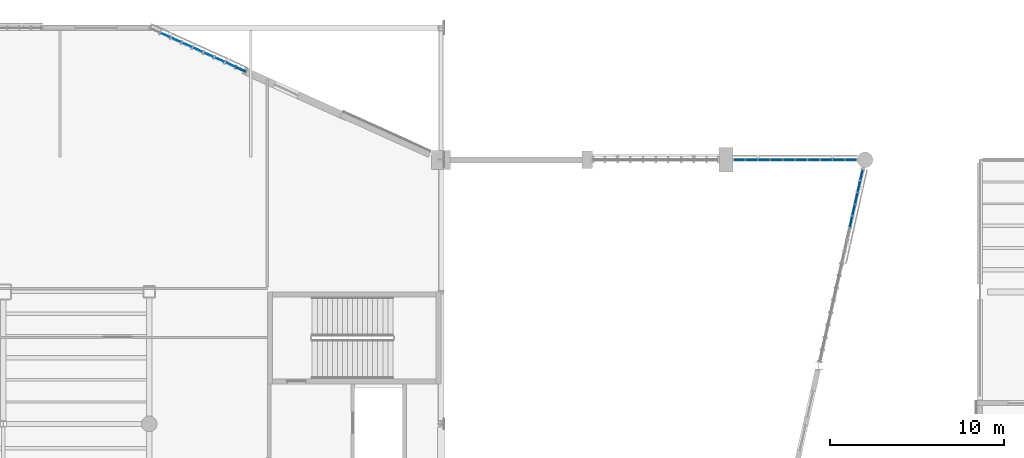
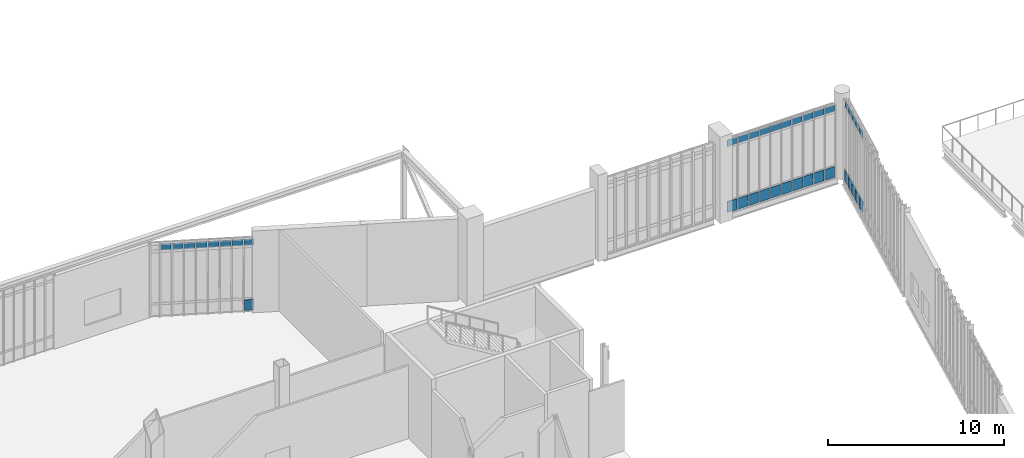
# One storey, part 101 of 135: 39 plates, 3 elements without a shape of their own.
"""IFC4 building model written with IfcOpenShell, lengths in metres."""

from ifc_helpers import new_model, si_unit, direction, frame, origin, origin_2d, place, context, subcontext, project, spatial, rectangle, extrude, material, layer, layer_set, type_object, element, aggregate, save


model = new_model("IFC4")

# Units and contexts
model_context = context("Model", 3, precision=1e-05, world=origin(), true_north=direction((0.0, 1.0)))
body_context = subcontext(model_context, "Body", "Model", "MODEL_VIEW")
ifc_project = project(units=[si_unit("LENGTHUNIT", "METRE"), si_unit("AREAUNIT", "SQUARE_METRE"), si_unit("VOLUMEUNIT", "CUBIC_METRE"), si_unit("PLANEANGLEUNIT", "RADIAN"), si_unit("MASSUNIT", "GRAM", prefix="KILO")], contexts=[model_context])

# Site, building, storey
site_placement = place(None, origin())
site = spatial("IfcSite", under=ifc_project, at=site_placement, CompositionType="ELEMENT")
building_placement = place(site_placement, origin())
building = spatial("IfcBuilding", under=site, at=building_placement, Name="Larkvane Passage Sports Hall", CompositionType="ELEMENT")
storey_placement = place(building_placement, frame((0.0, 0.0, 10.800048828125)))
storey = spatial("IfcBuildingStorey", under=building, at=storey_placement, Name="L02", CompositionType="ELEMENT", Elevation=10.800048828125)

# Curtain wall, plate
ifc_material_1 = material(Name="Thermally broken aluminium and low-E glazing", Category="aluminium")
curtain_wall_type_1 = type_object("IfcCurtainWallType", Name="CW-STICK-FOYER", PredefinedType="USERDEFINED", material=ifc_material_1)
curtain_wall_1_placement = place(storey_placement, origin())
curtain_wall_1 = element("IfcCurtainWall", 1, at=curtain_wall_1_placement, inside=storey, type_object=curtain_wall_type_1, Name="Curtain wall CW5-L02-078", ObjectType="STICK CURTAIN WALL", PredefinedType="USERDEFINED")
ifc_material_2 = material(Name="Fire-stopped shadow-box spandrel panel")
ifc_layer_1 = layer(ifc_material_2, 0.10498046875)
ifc_layer_set_1 = layer_set([ifc_layer_1], Name="Fire-stopped shadow-box spandrel panel")
plate_type_1 = type_object("IfcPlateType", Name="CWP-SPD-105", PredefinedType="CURTAIN_PANEL", material=ifc_layer_set_1)
plate_1_placement = place(storey_placement, frame((82.070556640625, 104.415771484375, 0.080078125), z_axis=(0.0, 0.0, 1.0), x_axis=(0.911109959422, -0.412163367903, 0.0)))
plate_1 = element("IfcPlate", 2, at=plate_1_placement, type_object=plate_type_1, Name="CW-03 panel 9.1", PredefinedType="CURTAIN_PANEL", context=body_context, shape_type="SweptSolid", body=[
    extrude(rectangle(XDim=0.56298828125, YDim=0.10498046875, at=origin_2d()), origin(), (0.0, 0.0, 1.0), 0.72998046875),
])

# Curtain wall, plates
curtain_wall_type_2 = type_object("IfcCurtainWallType", Name="CW-UNIT-COURT", PredefinedType="USERDEFINED", material=ifc_material_1)
curtain_wall_2_placement = place(storey_placement, origin())
curtain_wall_2 = element("IfcCurtainWall", 3, at=curtain_wall_2_placement, inside=storey, type_object=curtain_wall_type_2, Name="Curtain wall CW5-L02-080", ObjectType="UNITISED CURTAIN WALL", PredefinedType="USERDEFINED")
ifc_material_3 = material(Name="Insulated aluminium spandrel panel", Category="aluminium")
ifc_layer_2 = layer(ifc_material_3, 0.06494140625)
ifc_layer_set_2 = layer_set([ifc_layer_2], Name="Insulated aluminium spandrel panel")
plate_type_2 = type_object("IfcPlateType", Name="CWP-SPD-65", PredefinedType="CURTAIN_PANEL", material=ifc_layer_set_2)
plate_2_placement = place(storey_placement, frame((110.770263671875, 99.199951171875, 0.06494140625), z_axis=(0.0, 0.0, 1.0), x_axis=(1.0, 0.0, 0.0)))
plate_2 = element("IfcPlate", 4, at=plate_2_placement, type_object=plate_type_2, Name="CW-01 panel 1.1", PredefinedType="CURTAIN_PANEL", context=body_context, shape_type="SweptSolid", body=[
    extrude(rectangle(XDim=0.618408203125, YDim=0.06494140625, at=origin_2d()), origin(), (0.0, 0.0, 1.0), 0.75244140625),
])
plate_3_placement = place(storey_placement, frame((111.4697265625, 99.199951171875, 0.06494140625), z_axis=(0.0, 0.0, 1.0), x_axis=(1.0, 0.0, 0.0)))
plate_3 = element("IfcPlate", 5, at=plate_3_placement, type_object=plate_type_2, Name="CW-01 panel 2.1", PredefinedType="CURTAIN_PANEL", context=body_context, shape_type="SweptSolid", body=[
    extrude(rectangle(XDim=0.65087890625, YDim=0.06494140625, at=origin_2d()), origin(), (0.0, 0.0, 1.0), 0.75244140625),
])
plate_4_placement = place(storey_placement, frame((112.185546875, 99.199951171875, 0.06494140625), z_axis=(0.0, 0.0, 1.0), x_axis=(1.0, 0.0, 0.0)))
plate_4 = element("IfcPlate", 6, at=plate_4_placement, type_object=plate_type_2, Name="CW-01 panel 3.1", PredefinedType="CURTAIN_PANEL", context=body_context, shape_type="SweptSolid", body=[
    extrude(rectangle(XDim=0.65087890625, YDim=0.06494140625, at=origin_2d()), origin(), (0.0, 0.0, 1.0), 0.75244140625),
])
plate_5_placement = place(storey_placement, frame((112.9013671875, 99.199951171875, 0.06494140625), z_axis=(0.0, 0.0, 1.0), x_axis=(1.0, 0.0, 0.0)))
plate_5 = element("IfcPlate", 7, at=plate_5_placement, type_object=plate_type_2, Name="CW-01 panel 4.1", PredefinedType="CURTAIN_PANEL", context=body_context, shape_type="SweptSolid", body=[
    extrude(rectangle(XDim=0.65087890625, YDim=0.06494140625, at=origin_2d()), origin(), (0.0, 0.0, 1.0), 0.75244140625),
])
plate_6_placement = place(storey_placement, frame((113.6171875, 99.199951171875, 0.06494140625), z_axis=(0.0, 0.0, 1.0), x_axis=(1.0, 0.0, 0.0)))
plate_6 = element("IfcPlate", 8, at=plate_6_placement, type_object=plate_type_2, Name="CW-01 panel 5.1", PredefinedType="CURTAIN_PANEL", context=body_context, shape_type="SweptSolid", body=[
    extrude(rectangle(XDim=0.65087890625, YDim=0.06494140625, at=origin_2d()), origin(), (0.0, 0.0, 1.0), 0.75244140625),
])
plate_7_placement = place(storey_placement, frame((114.3330078125, 99.199951171875, 0.06494140625), z_axis=(0.0, 0.0, 1.0), x_axis=(1.0, 0.0, 0.0)))
plate_7 = element("IfcPlate", 9, at=plate_7_placement, type_object=plate_type_2, Name="CW-01 panel 6.1", PredefinedType="CURTAIN_PANEL", context=body_context, shape_type="SweptSolid", body=[
    extrude(rectangle(XDim=0.65087890625, YDim=0.06494140625, at=origin_2d()), origin(), (0.0, 0.0, 1.0), 0.75244140625),
])
plate_8_placement = place(storey_placement, frame((115.048583984375, 99.199951171875, 0.06494140625), z_axis=(0.0, 0.0, 1.0), x_axis=(1.0, 0.0, 0.0)))
plate_8 = element("IfcPlate", 10, at=plate_8_placement, type_object=plate_type_2, Name="CW-01 panel 7.1", PredefinedType="CURTAIN_PANEL", context=body_context, shape_type="SweptSolid", body=[
    extrude(rectangle(XDim=0.65087890625, YDim=0.06494140625, at=origin_2d()), origin(), (0.0, 0.0, 1.0), 0.75244140625),
])
plate_9_placement = place(storey_placement, frame((115.764404296875, 99.199951171875, 0.06494140625), z_axis=(0.0, 0.0, 1.0), x_axis=(1.0, 0.0, 0.0)))
plate_9 = element("IfcPlate", 11, at=plate_9_placement, type_object=plate_type_2, Name="CW-01 panel 8.1", PredefinedType="CURTAIN_PANEL", context=body_context, shape_type="SweptSolid", body=[
    extrude(rectangle(XDim=0.65087890625, YDim=0.06494140625, at=origin_2d()), origin(), (0.0, 0.0, 1.0), 0.75244140625),
])
plate_10_placement = place(storey_placement, frame((116.480224609375, 99.199951171875, 0.06494140625), z_axis=(0.0, 0.0, 1.0), x_axis=(1.0, 0.0, 0.0)))
plate_10 = element("IfcPlate", 12, at=plate_10_placement, type_object=plate_type_2, Name="CW-01 panel 9.1", PredefinedType="CURTAIN_PANEL", context=body_context, shape_type="SweptSolid", body=[
    extrude(rectangle(XDim=0.65087890625, YDim=0.06494140625, at=origin_2d()), origin(), (0.0, 0.0, 1.0), 0.75244140625),
])
plate_11_placement = place(storey_placement, frame((117.179931640625, 99.199951171875, 0.06494140625), z_axis=(0.0, 0.0, 1.0), x_axis=(1.0, 0.0, 0.0)))
plate_11 = element("IfcPlate", 13, at=plate_11_placement, type_object=plate_type_2, Name="CW-01 panel 10.1", PredefinedType="CURTAIN_PANEL", context=body_context, shape_type="SweptSolid", body=[
    extrude(rectangle(XDim=0.618408203125, YDim=0.06494140625, at=origin_2d()), origin(), (0.0, 0.0, 1.0), 0.75244140625),
])

curtain_wall_type_3 = type_object("IfcCurtainWallType", Name="CW-UNIT-VEIL", PredefinedType="USERDEFINED", material=ifc_material_1)
curtain_wall_3_placement = place(storey_placement, origin())
curtain_wall_3 = element("IfcCurtainWall", 14, at=curtain_wall_3_placement, inside=storey, type_object=curtain_wall_type_3, Name="Curtain wall CW5-L02-081", ObjectType="UNITISED CURTAIN WALL", PredefinedType="USERDEFINED")
ifc_material_4 = material(Name="Mineral-wool insulated spandrel cassette")
ifc_layer_3 = layer(ifc_material_4, 0.0849609375)
ifc_layer_set_3 = layer_set([ifc_layer_3], Name="Mineral-wool insulated spandrel cassette")
plate_type_3 = type_object("IfcPlateType", Name="CWP-SPD-85", PredefinedType="CURTAIN_PANEL", material=ifc_layer_set_3)
plate_12_placement = place(storey_placement, frame((117.802734375, 98.322509765625, 0.07470703125), z_axis=(0.0, 0.0, 1.0), x_axis=(-0.219257496416, -0.975667028379, 0.0)))
plate_12 = element("IfcPlate", 15, at=plate_12_placement, type_object=plate_type_3, Name="CW-02 panel 1.1", PredefinedType="CURTAIN_PANEL", context=body_context, shape_type="SweptSolid", body=[
    extrude(rectangle(XDim=0.581298828125, YDim=0.0849609375, at=origin_2d()), origin(), (0.0, 0.0, 1.0), 0.737548828125),
])
plate_13_placement = place(storey_placement, frame((117.65478515625, 97.6640625, 0.07470703125), z_axis=(0.0, 0.0, 1.0), x_axis=(-0.219257496416, -0.975667028379, 0.0)))
plate_13 = element("IfcPlate", 16, at=plate_13_placement, type_object=plate_type_3, Name="CW-02 panel 2.1", PredefinedType="CURTAIN_PANEL", context=body_context, shape_type="SweptSolid", body=[
    extrude(rectangle(XDim=0.61865234375, YDim=0.0849609375, at=origin_2d()), origin(), (0.0, 0.0, 1.0), 0.737548828125),
])
plate_14_placement = place(storey_placement, frame((117.502685546875, 96.9873046875, 0.07470703125), z_axis=(0.0, 0.0, 1.0), x_axis=(-0.219257496416, -0.975667028379, 0.0)))
plate_14 = element("IfcPlate", 17, at=plate_14_placement, type_object=plate_type_3, Name="CW-02 panel 3.1", PredefinedType="CURTAIN_PANEL", context=body_context, shape_type="SweptSolid", body=[
    extrude(rectangle(XDim=0.61865234375, YDim=0.0849609375, at=origin_2d()), origin(), (0.0, 0.0, 1.0), 0.737548828125),
])
plate_15_placement = place(storey_placement, frame((117.3505859375, 96.310302734375, 0.07470703125), z_axis=(0.0, 0.0, 1.0), x_axis=(-0.219257496416, -0.975667028379, 0.0)))
plate_15 = element("IfcPlate", 18, at=plate_15_placement, type_object=plate_type_3, Name="CW-02 panel 4.1", PredefinedType="CURTAIN_PANEL", context=body_context, shape_type="SweptSolid", body=[
    extrude(rectangle(XDim=0.61865234375, YDim=0.0849609375, at=origin_2d()), origin(), (0.0, 0.0, 1.0), 0.737548828125),
])
plate_16_placement = place(storey_placement, frame((117.198486328125, 95.633544921875, 0.07470703125), z_axis=(0.0, 0.0, 1.0), x_axis=(-0.219257496416, -0.975667028379, 0.0)))
plate_16 = element("IfcPlate", 19, at=plate_16_placement, type_object=plate_type_3, Name="CW-02 panel 5.1", PredefinedType="CURTAIN_PANEL", context=body_context, shape_type="SweptSolid", body=[
    extrude(rectangle(XDim=0.61865234375, YDim=0.0849609375, at=origin_2d()), origin(), (0.0, 0.0, 1.0), 0.737548828125),
])

# Plate
ifc_material_5 = material(Name="Solar-control low-E double glazing", Category="glass")
ifc_layer_4 = layer(ifc_material_5, 0.028076171875)
ifc_layer_set_4 = layer_set([ifc_layer_4], Name="Solar-control low-E double glazing")
plate_type_4 = type_object("IfcPlateType", Name="CWP-VIS-28", PredefinedType="CURTAIN_PANEL", material=ifc_layer_set_4)
plate_17_placement = place(storey_placement, frame((110.770263671875, 99.199951171875, 4.63037109375), z_axis=(0.0, 0.0, 1.0), x_axis=(1.0, 0.0, 0.0)))
plate_17 = element("IfcPlate", 20, at=plate_17_placement, type_object=plate_type_4, Name="CW-01 panel 1.3", PredefinedType="CURTAIN_PANEL", context=body_context, shape_type="SweptSolid", body=[
    extrude(rectangle(XDim=0.618408203125, YDim=0.028076171875, at=origin_2d()), origin(), (0.0, 0.0, 1.0), 0.452392578125),
])

plate_18_placement = place(storey_placement, frame((111.4697265625, 99.199951171875, 4.63037109375), z_axis=(0.0, 0.0, 1.0), x_axis=(1.0, 0.0, 0.0)))
plate_18 = element("IfcPlate", 21, at=plate_18_placement, type_object=plate_type_4, Name="CW-01 panel 2.3", PredefinedType="CURTAIN_PANEL", context=body_context, shape_type="SweptSolid", body=[
    extrude(rectangle(XDim=0.65087890625, YDim=0.028076171875, at=origin_2d()), origin(), (0.0, 0.0, 1.0), 0.452392578125),
])

plate_19_placement = place(storey_placement, frame((112.185546875, 99.199951171875, 4.63037109375), z_axis=(0.0, 0.0, 1.0), x_axis=(1.0, 0.0, 0.0)))
plate_19 = element("IfcPlate", 22, at=plate_19_placement, type_object=plate_type_4, Name="CW-01 panel 3.3", PredefinedType="CURTAIN_PANEL", context=body_context, shape_type="SweptSolid", body=[
    extrude(rectangle(XDim=0.65087890625, YDim=0.028076171875, at=origin_2d()), origin(), (0.0, 0.0, 1.0), 0.452392578125),
])

plate_20_placement = place(storey_placement, frame((112.9013671875, 99.199951171875, 4.63037109375), z_axis=(0.0, 0.0, 1.0), x_axis=(1.0, 0.0, 0.0)))
plate_20 = element("IfcPlate", 23, at=plate_20_placement, type_object=plate_type_4, Name="CW-01 panel 4.3", PredefinedType="CURTAIN_PANEL", context=body_context, shape_type="SweptSolid", body=[
    extrude(rectangle(XDim=0.65087890625, YDim=0.028076171875, at=origin_2d()), origin(), (0.0, 0.0, 1.0), 0.452392578125),
])

plate_21_placement = place(storey_placement, frame((113.6171875, 99.199951171875, 4.63037109375), z_axis=(0.0, 0.0, 1.0), x_axis=(1.0, 0.0, 0.0)))
plate_21 = element("IfcPlate", 24, at=plate_21_placement, type_object=plate_type_4, Name="CW-01 panel 5.3", PredefinedType="CURTAIN_PANEL", context=body_context, shape_type="SweptSolid", body=[
    extrude(rectangle(XDim=0.65087890625, YDim=0.028076171875, at=origin_2d()), origin(), (0.0, 0.0, 1.0), 0.452392578125),
])

plate_22_placement = place(storey_placement, frame((114.3330078125, 99.199951171875, 4.63037109375), z_axis=(0.0, 0.0, 1.0), x_axis=(1.0, 0.0, 0.0)))
plate_22 = element("IfcPlate", 25, at=plate_22_placement, type_object=plate_type_4, Name="CW-01 panel 6.3", PredefinedType="CURTAIN_PANEL", context=body_context, shape_type="SweptSolid", body=[
    extrude(rectangle(XDim=0.65087890625, YDim=0.028076171875, at=origin_2d()), origin(), (0.0, 0.0, 1.0), 0.452392578125),
])

plate_23_placement = place(storey_placement, frame((115.048583984375, 99.199951171875, 4.63037109375), z_axis=(0.0, 0.0, 1.0), x_axis=(1.0, 0.0, 0.0)))
plate_23 = element("IfcPlate", 26, at=plate_23_placement, type_object=plate_type_4, Name="CW-01 panel 7.3", PredefinedType="CURTAIN_PANEL", context=body_context, shape_type="SweptSolid", body=[
    extrude(rectangle(XDim=0.65087890625, YDim=0.028076171875, at=origin_2d()), origin(), (0.0, 0.0, 1.0), 0.452392578125),
])

plate_24_placement = place(storey_placement, frame((115.764404296875, 99.199951171875, 4.63037109375), z_axis=(0.0, 0.0, 1.0), x_axis=(1.0, 0.0, 0.0)))
plate_24 = element("IfcPlate", 27, at=plate_24_placement, type_object=plate_type_4, Name="CW-01 panel 8.3", PredefinedType="CURTAIN_PANEL", context=body_context, shape_type="SweptSolid", body=[
    extrude(rectangle(XDim=0.65087890625, YDim=0.028076171875, at=origin_2d()), origin(), (0.0, 0.0, 1.0), 0.452392578125),
])

plate_25_placement = place(storey_placement, frame((116.480224609375, 99.199951171875, 4.63037109375), z_axis=(0.0, 0.0, 1.0), x_axis=(1.0, 0.0, 0.0)))
plate_25 = element("IfcPlate", 28, at=plate_25_placement, type_object=plate_type_4, Name="CW-01 panel 9.3", PredefinedType="CURTAIN_PANEL", context=body_context, shape_type="SweptSolid", body=[
    extrude(rectangle(XDim=0.65087890625, YDim=0.028076171875, at=origin_2d()), origin(), (0.0, 0.0, 1.0), 0.452392578125),
])

plate_26_placement = place(storey_placement, frame((117.179931640625, 99.199951171875, 4.63037109375), z_axis=(0.0, 0.0, 1.0), x_axis=(1.0, 0.0, 0.0)))
plate_26 = element("IfcPlate", 29, at=plate_26_placement, type_object=plate_type_4, Name="CW-01 panel 10.3", PredefinedType="CURTAIN_PANEL", context=body_context, shape_type="SweptSolid", body=[
    extrude(rectangle(XDim=0.618408203125, YDim=0.028076171875, at=origin_2d()), origin(), (0.0, 0.0, 1.0), 0.452392578125),
])

aggregate(curtain_wall_2, [plate_2, plate_17, plate_3, plate_18, plate_4, plate_19, plate_5, plate_20, plate_6, plate_21, plate_7, plate_22, plate_8, plate_23, plate_9, plate_24, plate_10, plate_25, plate_11, plate_26])

ifc_material_6 = material(Name="Laminated acoustic low-E glazing", Category="glass")
ifc_layer_5 = layer(ifc_material_6, 0.031982421875)
ifc_layer_set_5 = layer_set([ifc_layer_5], Name="Laminated acoustic low-E glazing")
plate_type_5 = type_object("IfcPlateType", Name="CWP-VIS-32", PredefinedType="CURTAIN_PANEL", material=ifc_layer_set_5)
plate_27_placement = place(storey_placement, frame((117.802734375, 98.322509765625, 5.1875), z_axis=(0.0, 0.0, 1.0), x_axis=(-0.219257496416, -0.975667028379, 0.0)))
plate_27 = element("IfcPlate", 30, at=plate_27_placement, type_object=plate_type_5, Name="CW-02 panel 1.3", PredefinedType="CURTAIN_PANEL", context=body_context, shape_type="SweptSolid", body=[
    extrude(rectangle(XDim=0.581298828125, YDim=0.031982421875, at=origin_2d()), origin(), (0.0, 0.0, 1.0), 0.4375),
])

plate_28_placement = place(storey_placement, frame((117.65478515625, 97.6640625, 5.1875), z_axis=(0.0, 0.0, 1.0), x_axis=(-0.219257496416, -0.975667028379, 0.0)))
plate_28 = element("IfcPlate", 31, at=plate_28_placement, type_object=plate_type_5, Name="CW-02 panel 2.3", PredefinedType="CURTAIN_PANEL", context=body_context, shape_type="SweptSolid", body=[
    extrude(rectangle(XDim=0.61865234375, YDim=0.031982421875, at=origin_2d()), origin(), (0.0, 0.0, 1.0), 0.4375),
])

plate_29_placement = place(storey_placement, frame((117.502685546875, 96.9873046875, 5.1875), z_axis=(0.0, 0.0, 1.0), x_axis=(-0.219257496416, -0.975667028379, 0.0)))
plate_29 = element("IfcPlate", 32, at=plate_29_placement, type_object=plate_type_5, Name="CW-02 panel 3.3", PredefinedType="CURTAIN_PANEL", context=body_context, shape_type="SweptSolid", body=[
    extrude(rectangle(XDim=0.61865234375, YDim=0.031982421875, at=origin_2d()), origin(), (0.0, 0.0, 1.0), 0.4375),
])

plate_30_placement = place(storey_placement, frame((117.3505859375, 96.310302734375, 5.1875), z_axis=(0.0, 0.0, 1.0), x_axis=(-0.219257496416, -0.975667028379, 0.0)))
plate_30 = element("IfcPlate", 33, at=plate_30_placement, type_object=plate_type_5, Name="CW-02 panel 4.3", PredefinedType="CURTAIN_PANEL", context=body_context, shape_type="SweptSolid", body=[
    extrude(rectangle(XDim=0.61865234375, YDim=0.031982421875, at=origin_2d()), origin(), (0.0, 0.0, 1.0), 0.4375),
])

plate_31_placement = place(storey_placement, frame((117.198486328125, 95.633544921875, 5.1875), z_axis=(0.0, 0.0, 1.0), x_axis=(-0.219257496416, -0.975667028379, 0.0)))
plate_31 = element("IfcPlate", 34, at=plate_31_placement, type_object=plate_type_5, Name="CW-02 panel 5.3", PredefinedType="CURTAIN_PANEL", context=body_context, shape_type="SweptSolid", body=[
    extrude(rectangle(XDim=0.61865234375, YDim=0.031982421875, at=origin_2d()), origin(), (0.0, 0.0, 1.0), 0.4375),
])

aggregate(curtain_wall_3, [plate_12, plate_27, plate_13, plate_28, plate_14, plate_29, plate_15, plate_30, plate_16, plate_31])

ifc_material_7 = material(Name="High-impact court low-E glazing", Category="glass")
ifc_layer_6 = layer(ifc_material_7, 0.035888671875)
ifc_layer_set_6 = layer_set([ifc_layer_6], Name="High-impact court low-E glazing")
plate_type_6 = type_object("IfcPlateType", Name="CWP-VIS-36", PredefinedType="CURTAIN_PANEL", material=ifc_layer_set_6)
plate_32_placement = place(storey_placement, frame((77.7333984375, 106.377685546875, 4.56982421875), z_axis=(0.0, 0.0, 1.0), x_axis=(0.911109959422, -0.412163367903, 0.0)))
plate_32 = element("IfcPlate", 35, at=plate_32_placement, type_object=plate_type_6, Name="CW-03 panel 2.3", PredefinedType="CURTAIN_PANEL", context=body_context, shape_type="SweptSolid", body=[
    extrude(rectangle(XDim=0.60302734375, YDim=0.035888671875, at=origin_2d()), origin(), (0.0, 0.0, 1.0), 0.429931640625),
])

plate_33_placement = place(storey_placement, frame((78.35546875, 106.09619140625, 4.56982421875), z_axis=(0.0, 0.0, 1.0), x_axis=(0.911109959422, -0.412163367903, 0.0)))
plate_33 = element("IfcPlate", 36, at=plate_33_placement, type_object=plate_type_6, Name="CW-03 panel 3.3", PredefinedType="CURTAIN_PANEL", context=body_context, shape_type="SweptSolid", body=[
    extrude(rectangle(XDim=0.60302734375, YDim=0.035888671875, at=origin_2d()), origin(), (0.0, 0.0, 1.0), 0.429931640625),
])

plate_34_placement = place(storey_placement, frame((78.977783203125, 105.81494140625, 4.56982421875), z_axis=(0.0, 0.0, 1.0), x_axis=(0.911109959422, -0.412163367903, 0.0)))
plate_34 = element("IfcPlate", 37, at=plate_34_placement, type_object=plate_type_6, Name="CW-03 panel 4.3", PredefinedType="CURTAIN_PANEL", context=body_context, shape_type="SweptSolid", body=[
    extrude(rectangle(XDim=0.60302734375, YDim=0.035888671875, at=origin_2d()), origin(), (0.0, 0.0, 1.0), 0.429931640625),
])

plate_35_placement = place(storey_placement, frame((79.60009765625, 105.533447265625, 4.56982421875), z_axis=(0.0, 0.0, 1.0), x_axis=(0.911109959422, -0.412163367903, 0.0)))
plate_35 = element("IfcPlate", 38, at=plate_35_placement, type_object=plate_type_6, Name="CW-03 panel 5.3", PredefinedType="CURTAIN_PANEL", context=body_context, shape_type="SweptSolid", body=[
    extrude(rectangle(XDim=0.60302734375, YDim=0.035888671875, at=origin_2d()), origin(), (0.0, 0.0, 1.0), 0.429931640625),
])

plate_36_placement = place(storey_placement, frame((80.22216796875, 105.251953125, 4.56982421875), z_axis=(0.0, 0.0, 1.0), x_axis=(0.911109959422, -0.412163367903, 0.0)))
plate_36 = element("IfcPlate", 39, at=plate_36_placement, type_object=plate_type_6, Name="CW-03 panel 6.3", PredefinedType="CURTAIN_PANEL", context=body_context, shape_type="SweptSolid", body=[
    extrude(rectangle(XDim=0.60302734375, YDim=0.035888671875, at=origin_2d()), origin(), (0.0, 0.0, 1.0), 0.429931640625),
])

plate_37_placement = place(storey_placement, frame((80.844482421875, 104.970458984375, 4.56982421875), z_axis=(0.0, 0.0, 1.0), x_axis=(0.911109959422, -0.412163367903, 0.0)))
plate_37 = element("IfcPlate", 40, at=plate_37_placement, type_object=plate_type_6, Name="CW-03 panel 7.3", PredefinedType="CURTAIN_PANEL", context=body_context, shape_type="SweptSolid", body=[
    extrude(rectangle(XDim=0.60302734375, YDim=0.035888671875, at=origin_2d()), origin(), (0.0, 0.0, 1.0), 0.429931640625),
])

plate_38_placement = place(storey_placement, frame((81.466552734375, 104.68896484375, 4.56982421875), z_axis=(0.0, 0.0, 1.0), x_axis=(0.911109959422, -0.412163367903, 0.0)))
plate_38 = element("IfcPlate", 41, at=plate_38_placement, type_object=plate_type_6, Name="CW-03 panel 8.3", PredefinedType="CURTAIN_PANEL", context=body_context, shape_type="SweptSolid", body=[
    extrude(rectangle(XDim=0.60302734375, YDim=0.035888671875, at=origin_2d()), origin(), (0.0, 0.0, 1.0), 0.429931640625),
])

plate_39_placement = place(storey_placement, frame((82.070556640625, 104.415771484375, 4.56982421875), z_axis=(0.0, 0.0, 1.0), x_axis=(0.911109959422, -0.412163367903, 0.0)))
plate_39 = element("IfcPlate", 42, at=plate_39_placement, type_object=plate_type_6, Name="CW-03 panel 9.3", PredefinedType="CURTAIN_PANEL", context=body_context, shape_type="SweptSolid", body=[
    extrude(rectangle(XDim=0.56298828125, YDim=0.035888671875, at=origin_2d()), origin(), (0.0, 0.0, 1.0), 0.429931640625),
])

aggregate(curtain_wall_1, [plate_32, plate_33, plate_34, plate_35, plate_36, plate_37, plate_38, plate_1, plate_39])

save(model, "model.ifc")
